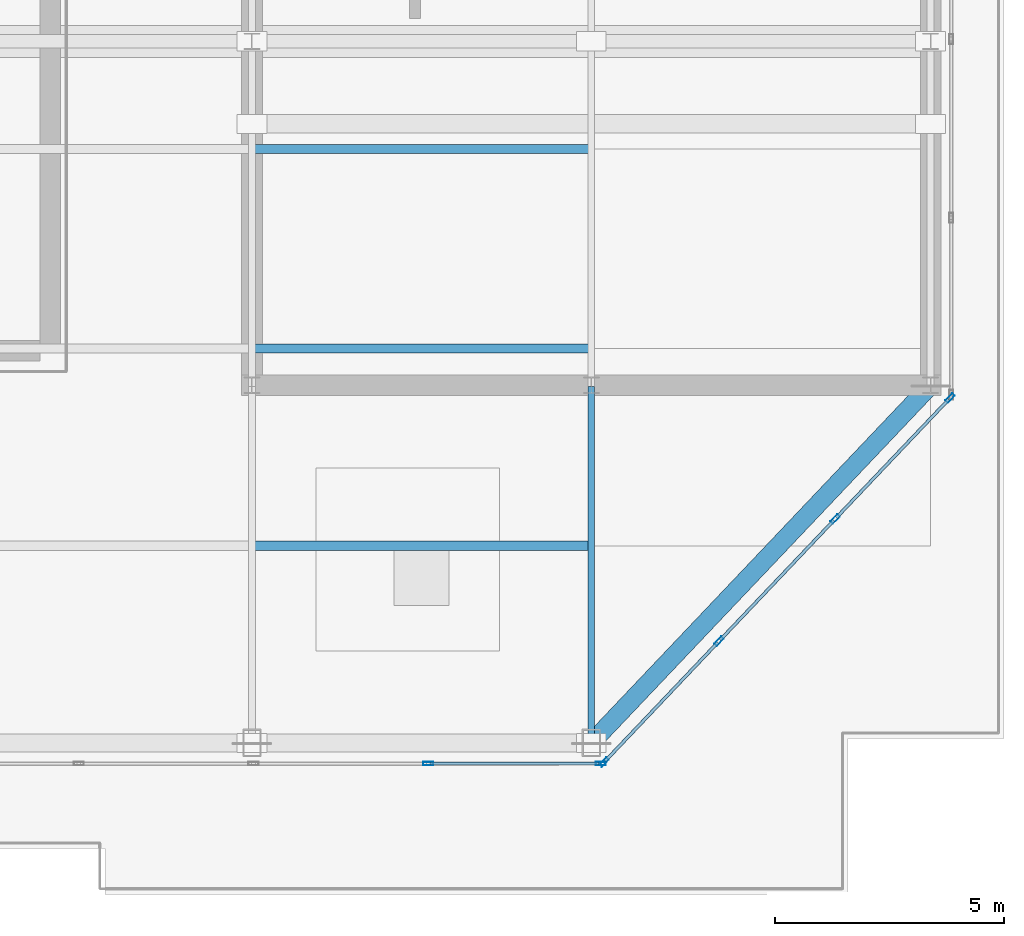
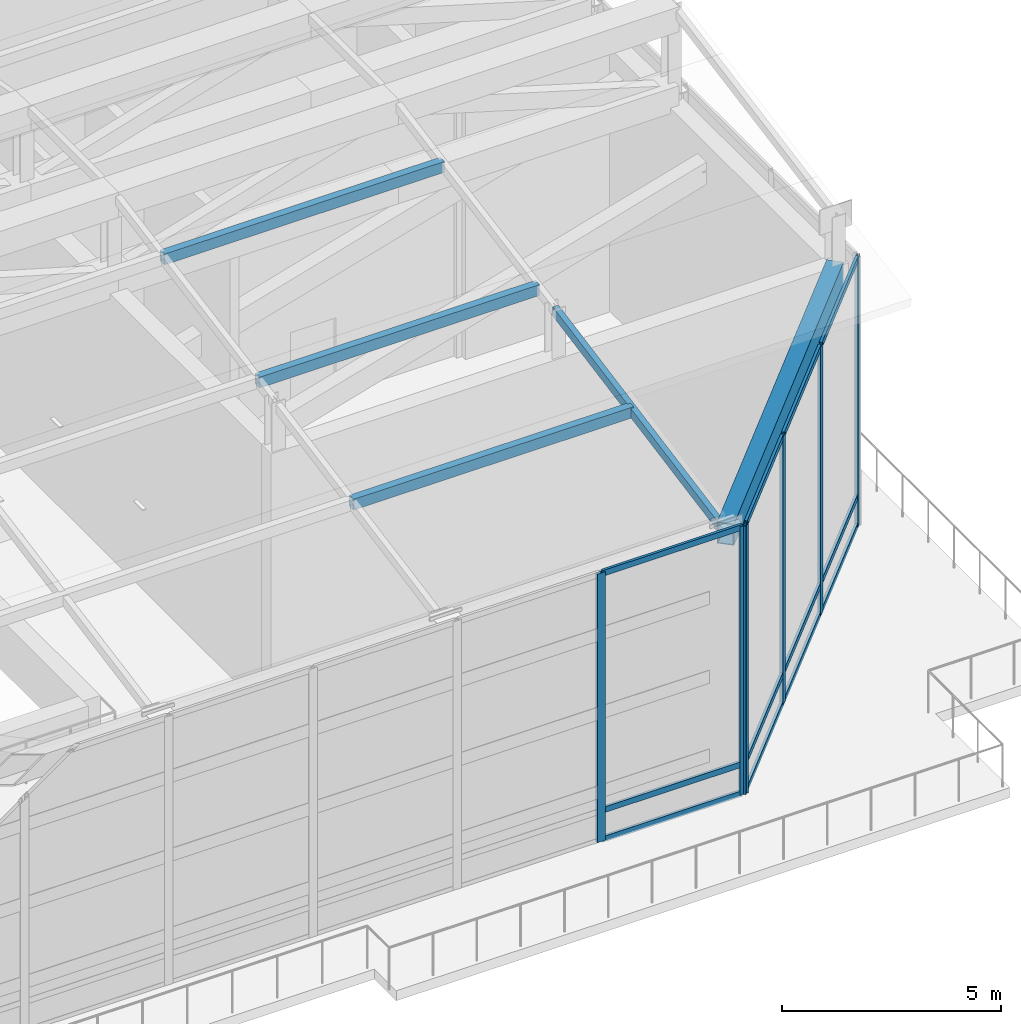
# One storey, part 12 of 25: 22 members, 1 beam, 2 elements without a shape of their own.
"""IFC4 building model written with IfcOpenShell, lengths in metres."""

from ifc_helpers import new_model, si_unit, direction, frame, origin, origin_2d, place, context, subcontext, project, spatial, hollow_rectangle, extrude, source, transform, mapped, material, layer, layer_set, material_profile, profile_set, type_object, type_shapes, element, aggregate, save


model = new_model("IFC4")

# Units and contexts
model_context = context("Model", 3, precision=1e-05, world=origin(), true_north=direction((0.0, 1.0)))
body_context = subcontext(model_context, "Body", "Model", "MODEL_VIEW")
ifc_project = project(units=[si_unit("LENGTHUNIT", "METRE"), si_unit("AREAUNIT", "SQUARE_METRE"), si_unit("VOLUMEUNIT", "CUBIC_METRE"), si_unit("PLANEANGLEUNIT", "RADIAN"), si_unit("MASSUNIT", "GRAM", prefix="KILO")], contexts=[model_context])

# Site, building, storey
site_placement = place(None, origin())
site = spatial("IfcSite", under=ifc_project, at=site_placement, CompositionType="ELEMENT")
building_placement = place(site_placement, origin())
building = spatial("IfcBuilding", under=site, at=building_placement, Name="Haelvirn Gate Laboratories", CompositionType="ELEMENT")
storey_placement = place(building_placement, frame((0.0, 0.0, 337.800048828125)))
storey = spatial("IfcBuildingStorey", under=building, at=storey_placement, Name="RF", CompositionType="ELEMENT", Elevation=337.800048828125)

# Beam
ifc_material_1 = material(Name="Steel SM420", Category="steel")
ifc_material_profile_1 = material_profile(ifc_material_1, hollow_rectangle(XDim=0.39990234375, YDim=0.60009765625, WallThickness=0.02490234375, at=origin_2d()), Name="BOX-600x400x25")
ifc_profile_set_1 = profile_set([ifc_material_profile_1], Name="Steel SM420")
beam_type = type_object("IfcBeamType", Name="BM-CROWN-CAP", PredefinedType="USERDEFINED", material=ifc_profile_set_1)
shared_shape_1 = source(origin(), body_context, "Body", "SweptSolid", [
    extrude(hollow_rectangle(XDim=0.39990234375, YDim=0.60009765625, WallThickness=0.02490234375, at=origin_2d()), origin(), (0.0, 0.0, 1.0), 10.751708984375),
])
type_shapes(beam_type, [shared_shape_1])
beam_placement = place(storey_placement, frame((60.0, 7.0, 7.050048828125), z_axis=(0.688253384031, 0.725470384902, 0.0), x_axis=(-0.725470384902, 0.688253384031, 0.0)))
element("IfcBeam", 1, at=beam_placement, inside=storey, type_object=beam_type, Name="RF Crown Frame Cap Ring Beam S7-E1", ObjectType="CROWN FRAME", PredefinedType="USERDEFINED", context=body_context, shape_type="MappedRepresentation", body=[
    mapped(shared_shape_1, transform((0.0, 0.0, 0.0), scale=1.0)),
])

# Members
ifc_material_2 = material(Name="Steel SM355", Category="steel")
ifc_material_profile_2 = material_profile(ifc_material_2, hollow_rectangle(XDim=0.14990234375, YDim=0.25, WallThickness=0.010009765625, at=origin_2d()), Name="RHS-250x150x10")
ifc_profile_set_2 = profile_set([ifc_material_profile_2], Name="Steel SM355")
member_type_1 = type_object("IfcMemberType", Name="MEM-CROWN-RAF", PredefinedType="RAFTER", material=ifc_profile_set_2)
shared_shape_2 = source(origin(), body_context, "Body", "SweptSolid", [
    extrude(hollow_rectangle(XDim=0.14990234375, YDim=0.25, WallThickness=0.010009765625, at=origin_2d()), origin(), (0.0, 0.0, 1.0), 7.9375),
])
type_shapes(member_type_1, [shared_shape_2])
member_1_placement = place(storey_placement, frame((60.0, 7.0, 7.099853515625), z_axis=(0.0, 0.982673493777, 0.185345096044), x_axis=(-1.0, 0.0, 0.0)))
element("IfcMember", 2, at=member_1_placement, inside=storey, type_object=member_type_1, Name="RF Vault Rafter Chord X60.0-1", PredefinedType="RAFTER", context=body_context, shape_type="MappedRepresentation", body=[
    mapped(shared_shape_2, transform((0.0, 0.0, 0.0), scale=1.0)),
])
ifc_material_profile_3 = material_profile(ifc_material_2, hollow_rectangle(XDim=0.199951171875, YDim=0.300048828125, WallThickness=0.011962890625, at=origin_2d()), Name="RHS-300x200x12")
ifc_profile_set_3 = profile_set([ifc_material_profile_3], Name="Steel SM355")
member_type_2 = type_object("IfcMemberType", Name="MEM-ROOF-PURL", PredefinedType="PURLIN", material=ifc_profile_set_3)
shared_shape_3 = source(origin(), body_context, "Body", "SweptSolid", [
    extrude(hollow_rectangle(XDim=0.199951171875, YDim=0.300048828125, WallThickness=0.011962890625, at=origin_2d()), origin(), (0.0, 0.0, 1.0), 7.39990234375),
])
type_shapes(member_type_2, [shared_shape_3])
for number, where, z_axis, x_axis, name in (
    (3, (52.60009765625, 11.300048828125, 7.89990234375), (1.0, 0.0, 0.0), (0.0, 1.0, 0.0), "RF Vault Purlin 1 (52.6-60.0)"),
    (4, (52.60009765625, 15.60009765625, 8.699951171875), (1.0, 0.0, 0.0), (0.0, 1.0, 0.0), "RF Vault Purlin 2 (52.6-60.0)"),
    (5, (52.60009765625, 19.949951171875, 9.5), (1.0, 0.0, 0.0), (0.0, 1.0, 0.0), "RF Vault Purlin 3 (52.6-60.0)"),
):
    element("IfcMember", number, at=place(storey_placement, frame(where, z_axis=z_axis, x_axis=x_axis)), inside=storey, type_object=member_type_2, Name=name, PredefinedType="PURLIN", context=body_context, shape_type="MappedRepresentation", body=[
        mapped(shared_shape_3, transform((0.0, 0.0, 0.0), scale=1.0)),
    ])

# Curtain wall, members
ifc_material_3 = material(Name="Anodised bronze unitised aluminium & triple low-E glass", Category="aluminium")
ifc_layer = layer(ifc_material_3, 0.19189453125, Name="CW-SYS-6")
ifc_layer_set = layer_set([ifc_layer], Name="Anodised bronze unitised aluminium & triple low-E glass")
curtain_wall_type = type_object("IfcCurtainWallType", Name="CW-SYS-6", PredefinedType="NOTDEFINED", material=ifc_layer_set)
curtain_wall_1_placement = place(storey_placement, origin())
curtain_wall_1 = element("IfcCurtainWall", 6, at=curtain_wall_1_placement, inside=storey, type_object=curtain_wall_type, Name="RF Unitised Curtain Wall CW-RF-RING-00", PredefinedType="NOTDEFINED")
ifc_material_4 = material(Name="Extruded aluminium 6063-T6 (anodised bronze)", Category="aluminium")
ifc_material_profile_4 = material_profile(ifc_material_4, hollow_rectangle(XDim=0.080078125, YDim=0.219970703125, WallThickness=0.006103515625, at=origin_2d()), Name="CWM-220x80x6")
ifc_profile_set_4 = profile_set([ifc_material_profile_4], Name="Extruded aluminium 6063-T6 (anodised bronze)")
member_type_3 = type_object("IfcMemberType", Name="CWM-T220", PredefinedType="MULLION", material=ifc_profile_set_4)
shared_shape_4 = source(origin(), body_context, "Body", "SweptSolid", [
    extrude(hollow_rectangle(XDim=0.080078125, YDim=0.219970703125, WallThickness=0.006103515625, at=origin_2d()), origin(), (0.0, 0.0, 1.0), 7.5),
])
type_shapes(member_type_3, [shared_shape_4])
member_2_placement = place(storey_placement, frame((56.441650390625, 6.550048828125, 0.0), z_axis=(0.0, 0.0, 1.0), x_axis=(0.0, 1.0, 0.0)))
member_2 = element("IfcMember", 7, at=member_2_placement, type_object=member_type_3, Name="CW6 mullion 12", PredefinedType="MULLION", context=body_context, shape_type="MappedRepresentation", body=[
    mapped(shared_shape_4, transform((0.0, 0.0, 0.0), scale=1.0)),
])
member_3_placement = place(storey_placement, frame((60.2099609375, 6.550048828125, 0.0), z_axis=(0.0, 0.0, 1.0), x_axis=(0.0, 1.0, 0.0)))
member_3 = element("IfcMember", 8, at=member_3_placement, type_object=member_type_3, Name="CW6 mullion 13", PredefinedType="MULLION", context=body_context, shape_type="MappedRepresentation", body=[
    mapped(shared_shape_4, transform((0.0, 0.0, 0.0), scale=1.0)),
])

curtain_wall_2_placement = place(storey_placement, origin())
curtain_wall_2 = element("IfcCurtainWall", 9, at=curtain_wall_2_placement, inside=storey, type_object=curtain_wall_type, Name="RF Unitised Curtain Wall CW-RF-RING-01", PredefinedType="NOTDEFINED")
member_4_placement = place(storey_placement, frame((60.277587890625, 6.5791015625, 0.0), z_axis=(0.0, 0.0, 1.0), x_axis=(-0.72499943359, 0.68874946192, 0.0)))
member_4 = element("IfcMember", 10, at=member_4_placement, type_object=member_type_3, Name="CW6 mullion 1", PredefinedType="MULLION", context=body_context, shape_type="MappedRepresentation", body=[
    mapped(shared_shape_4, transform((0.0, 0.0, 0.0), scale=1.0)),
])
member_5_placement = place(storey_placement, frame((62.783447265625, 9.216552734375, 0.0), z_axis=(0.0, 0.0, 1.0), x_axis=(-0.72499943359, 0.68874946192, 0.0)))
member_5 = element("IfcMember", 11, at=member_5_placement, type_object=member_type_3, Name="CW6 mullion 2", PredefinedType="MULLION", context=body_context, shape_type="MappedRepresentation", body=[
    mapped(shared_shape_4, transform((0.0, 0.0, 0.0), scale=1.0)),
])
member_6_placement = place(storey_placement, frame((65.316650390625, 11.88330078125, 0.0), z_axis=(0.0, 0.0, 1.0), x_axis=(-0.72499943359, 0.68874946192, 0.0)))
member_6 = element("IfcMember", 12, at=member_6_placement, type_object=member_type_3, Name="CW6 mullion 3", PredefinedType="MULLION", context=body_context, shape_type="MappedRepresentation", body=[
    mapped(shared_shape_4, transform((0.0, 0.0, 0.0), scale=1.0)),
])
member_7_placement = place(storey_placement, frame((67.822509765625, 14.52099609375, 0.0), z_axis=(0.0, 0.0, 1.0), x_axis=(-0.72499943359, 0.68874946192, 0.0)))
member_7 = element("IfcMember", 13, at=member_7_placement, type_object=member_type_3, Name="CW6 mullion 4", PredefinedType="MULLION", context=body_context, shape_type="MappedRepresentation", body=[
    mapped(shared_shape_4, transform((0.0, 0.0, 0.0), scale=1.0)),
])

# Member
ifc_material_profile_5 = material_profile(ifc_material_4, hollow_rectangle(XDim=0.070068359375, YDim=0.159912109375, WallThickness=0.0048828125, at=origin_2d()), Name="CWT-160x70x5")
ifc_profile_set_5 = profile_set([ifc_material_profile_5], Name="Extruded aluminium 6063-T6 (anodised bronze)")
member_type_4 = type_object("IfcMemberType", Name="CWT-T160", PredefinedType="USERDEFINED", material=ifc_profile_set_5)
shared_shape_5 = source(origin(), body_context, "Body", "SweptSolid", [
    extrude(hollow_rectangle(XDim=0.070068359375, YDim=0.159912109375, WallThickness=0.0048828125, at=origin_2d()), origin(), (0.0, 0.0, 1.0), 3.688232421875),
])
member_8_placement = place(storey_placement, frame((56.481689453125, 6.550048828125, 0.034912109375), z_axis=(1.0, 0.0, 0.0), x_axis=(0.0, 1.0, 0.0)))
member_8 = element("IfcMember", 14, at=member_8_placement, type_object=member_type_4, Name="CW6 transom 12.1", ObjectType="TRANSOM", PredefinedType="USERDEFINED", context=body_context, shape_type="MappedRepresentation", body=[
    mapped(shared_shape_5, transform((0.0, 0.0, 0.0), scale=1.0)),
])

member_9_placement = place(storey_placement, frame((56.481689453125, 6.550048828125, 0.849853515625), z_axis=(1.0, 0.0, 0.0), x_axis=(0.0, 1.0, 0.0)))
member_9 = element("IfcMember", 15, at=member_9_placement, type_object=member_type_4, Name="CW6 transom 12.2", ObjectType="TRANSOM", PredefinedType="USERDEFINED", context=body_context, shape_type="MappedRepresentation", body=[
    mapped(shared_shape_5, transform((0.0, 0.0, 0.0), scale=1.0)),
])

member_10_placement = place(storey_placement, frame((56.481689453125, 6.550048828125, 7.46484375), z_axis=(1.0, 0.0, 0.0), x_axis=(0.0, 1.0, 0.0)))
member_10 = element("IfcMember", 16, at=member_10_placement, type_object=member_type_4, Name="CW6 transom 12.3", ObjectType="TRANSOM", PredefinedType="USERDEFINED", context=body_context, shape_type="MappedRepresentation", body=[
    mapped(shared_shape_5, transform((0.0, 0.0, 0.0), scale=1.0)),
])

aggregate(curtain_wall_1, [member_2, member_3, member_8, member_9, member_10])

shared_shape_6 = source(origin(), body_context, "Body", "SweptSolid", [
    extrude(hollow_rectangle(XDim=0.070068359375, YDim=0.159912109375, WallThickness=0.0048828125, at=origin_2d()), origin(), (0.0, 0.0, 1.0), 3.558349609375),
])
member_11_placement = place(storey_placement, frame((60.30517578125, 6.60791015625, 0.034912109375), z_axis=(0.688726019915, 0.725021702773, 0.0), x_axis=(-0.725021702773, 0.688726019915, 0.0)))
member_11 = element("IfcMember", 17, at=member_11_placement, type_object=member_type_4, Name="CW6 transom 1.1", ObjectType="TRANSOM", PredefinedType="USERDEFINED", context=body_context, shape_type="MappedRepresentation", body=[
    mapped(shared_shape_6, transform((0.0, 0.0, 0.0), scale=1.0)),
])

member_12_placement = place(storey_placement, frame((60.30517578125, 6.60791015625, 0.849853515625), z_axis=(0.688726019915, 0.725021702773, 0.0), x_axis=(-0.725021702773, 0.688726019915, 0.0)))
member_12 = element("IfcMember", 18, at=member_12_placement, type_object=member_type_4, Name="CW6 transom 1.2", ObjectType="TRANSOM", PredefinedType="USERDEFINED", context=body_context, shape_type="MappedRepresentation", body=[
    mapped(shared_shape_6, transform((0.0, 0.0, 0.0), scale=1.0)),
])

member_13_placement = place(storey_placement, frame((60.30517578125, 6.60791015625, 7.46484375), z_axis=(0.688726019915, 0.725021702773, 0.0), x_axis=(-0.725021702773, 0.688726019915, 0.0)))
member_13 = element("IfcMember", 19, at=member_13_placement, type_object=member_type_4, Name="CW6 transom 1.3", ObjectType="TRANSOM", PredefinedType="USERDEFINED", context=body_context, shape_type="MappedRepresentation", body=[
    mapped(shared_shape_6, transform((0.0, 0.0, 0.0), scale=1.0)),
])

shared_shape_7 = source(origin(), body_context, "Body", "SweptSolid", [
    extrude(hollow_rectangle(XDim=0.070068359375, YDim=0.159912109375, WallThickness=0.0048828125, at=origin_2d()), origin(), (0.0, 0.0, 1.0), 3.59814453125),
])
member_14_placement = place(storey_placement, frame((62.810791015625, 9.24560546875, 0.034912109375), z_axis=(0.688758377931, 0.724990963274, 0.0), x_axis=(-0.724990963274, 0.688758377931, 0.0)))
member_14 = element("IfcMember", 20, at=member_14_placement, type_object=member_type_4, Name="CW6 transom 2.1", ObjectType="TRANSOM", PredefinedType="USERDEFINED", context=body_context, shape_type="MappedRepresentation", body=[
    mapped(shared_shape_7, transform((0.0, 0.0, 0.0), scale=1.0)),
])

member_15_placement = place(storey_placement, frame((62.810791015625, 9.24560546875, 0.849853515625), z_axis=(0.688758377931, 0.724990963274, 0.0), x_axis=(-0.724990963274, 0.688758377931, 0.0)))
member_15 = element("IfcMember", 21, at=member_15_placement, type_object=member_type_4, Name="CW6 transom 2.2", ObjectType="TRANSOM", PredefinedType="USERDEFINED", context=body_context, shape_type="MappedRepresentation", body=[
    mapped(shared_shape_7, transform((0.0, 0.0, 0.0), scale=1.0)),
])

member_16_placement = place(storey_placement, frame((62.810791015625, 9.24560546875, 7.46484375), z_axis=(0.688758377931, 0.724990963274, 0.0), x_axis=(-0.724990963274, 0.688758377931, 0.0)))
member_16 = element("IfcMember", 22, at=member_16_placement, type_object=member_type_4, Name="CW6 transom 2.3", ObjectType="TRANSOM", PredefinedType="USERDEFINED", context=body_context, shape_type="MappedRepresentation", body=[
    mapped(shared_shape_7, transform((0.0, 0.0, 0.0), scale=1.0)),
])

shared_shape_8 = source(origin(), body_context, "Body", "SweptSolid", [
    extrude(hollow_rectangle(XDim=0.070068359375, YDim=0.159912109375, WallThickness=0.0048828125, at=origin_2d()), origin(), (0.0, 0.0, 1.0), 3.55810546875),
])
type_shapes(member_type_4, [shared_shape_5, shared_shape_6, shared_shape_7, shared_shape_8])
member_17_placement = place(storey_placement, frame((65.34423828125, 11.912353515625, 0.034912109375), z_axis=(0.688760281595, 0.724989154745, 0.0), x_axis=(-0.724989154745, 0.688760281595, 0.0)))
member_17 = element("IfcMember", 23, at=member_17_placement, type_object=member_type_4, Name="CW6 transom 3.1", ObjectType="TRANSOM", PredefinedType="USERDEFINED", context=body_context, shape_type="MappedRepresentation", body=[
    mapped(shared_shape_8, transform((0.0, 0.0, 0.0), scale=1.0)),
])

member_18_placement = place(storey_placement, frame((65.34423828125, 11.912353515625, 0.849853515625), z_axis=(0.688760281595, 0.724989154745, 0.0), x_axis=(-0.724989154745, 0.688760281595, 0.0)))
member_18 = element("IfcMember", 24, at=member_18_placement, type_object=member_type_4, Name="CW6 transom 3.2", ObjectType="TRANSOM", PredefinedType="USERDEFINED", context=body_context, shape_type="MappedRepresentation", body=[
    mapped(shared_shape_8, transform((0.0, 0.0, 0.0), scale=1.0)),
])

member_19_placement = place(storey_placement, frame((65.34423828125, 11.912353515625, 7.46484375), z_axis=(0.688760281595, 0.724989154745, 0.0), x_axis=(-0.724989154745, 0.688760281595, 0.0)))
member_19 = element("IfcMember", 25, at=member_19_placement, type_object=member_type_4, Name="CW6 transom 3.3", ObjectType="TRANSOM", PredefinedType="USERDEFINED", context=body_context, shape_type="MappedRepresentation", body=[
    mapped(shared_shape_8, transform((0.0, 0.0, 0.0), scale=1.0)),
])

aggregate(curtain_wall_2, [member_4, member_5, member_6, member_7, member_11, member_12, member_13, member_14, member_15, member_16, member_17, member_18, member_19])

save(model, "model.ifc")
